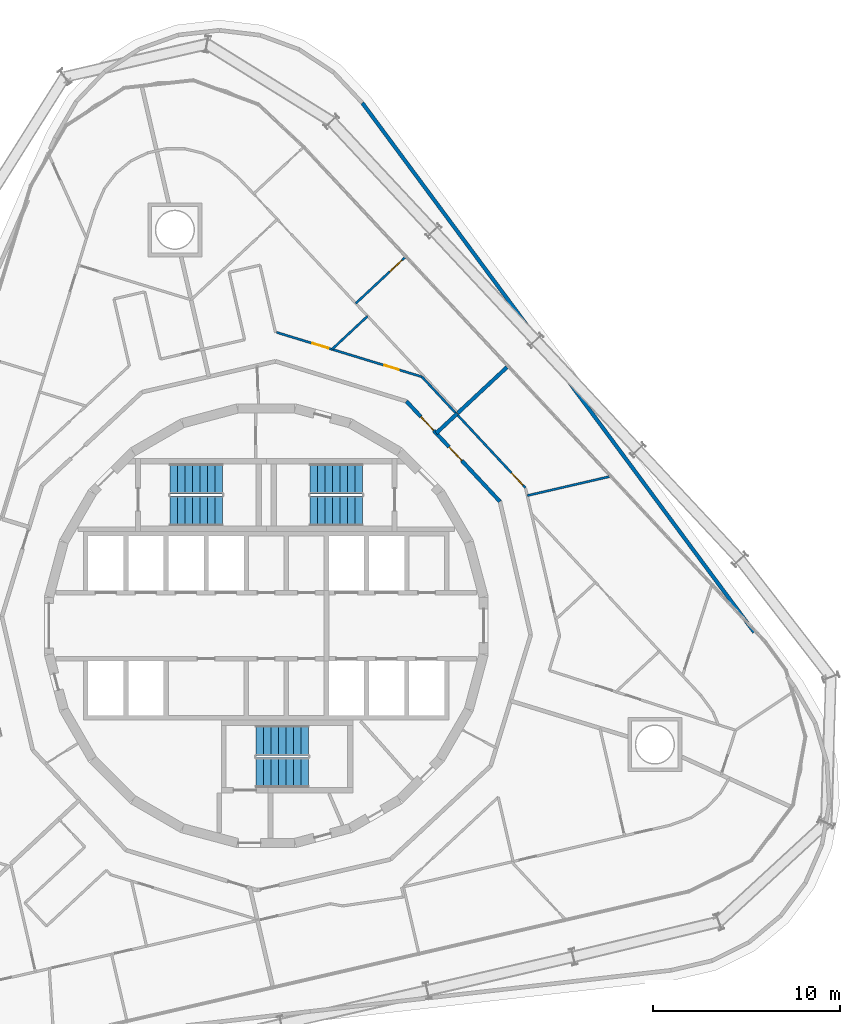
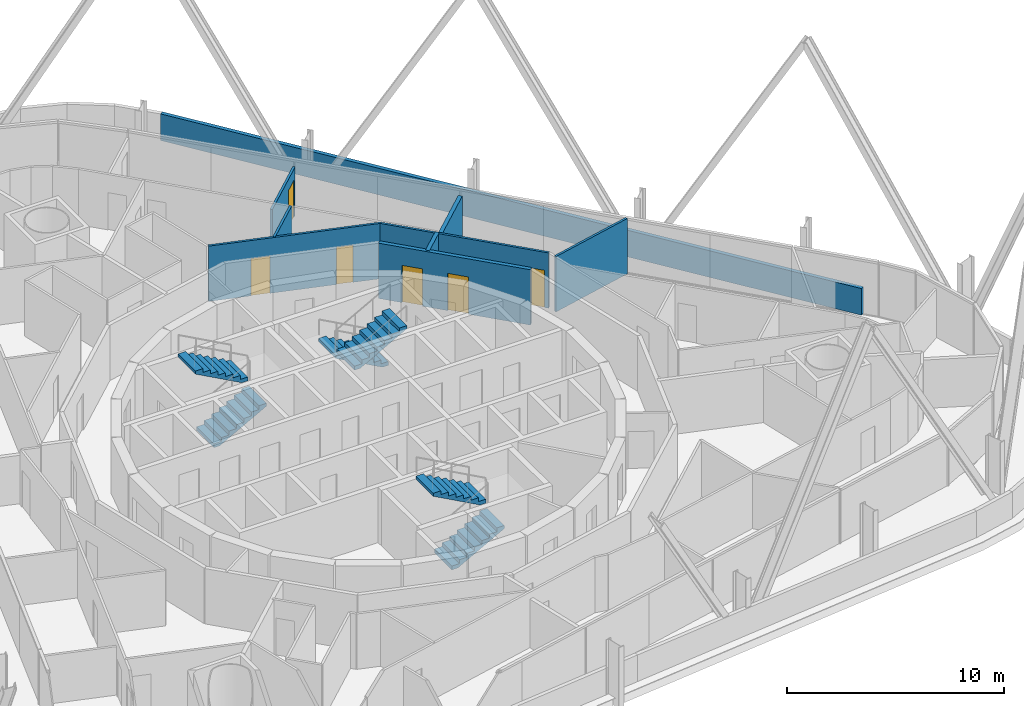
# One storey, part 17 of 18: 9 walls, 6 doors, 6 stair flights, 6 openings, 3 elements without a shape of their own.
"""IFC4 building model written with IfcOpenShell, lengths in metres."""

from ifc_helpers import new_model, si_unit, direction, frame, frame_2d, origin, place, context, subcontext, project, spatial, polyline, rectangle, outline, extrude, material, layer, layer_set, type_object, element, fill, aggregate, save


model = new_model("IFC4")

# Units and contexts
model_context = context("Model", 3, precision=1e-05, world=origin(), true_north=direction((0.0, 1.0)))
body_context = subcontext(model_context, "Body", "Model", "MODEL_VIEW")
ifc_project = project(units=[si_unit("LENGTHUNIT", "METRE"), si_unit("AREAUNIT", "SQUARE_METRE"), si_unit("VOLUMEUNIT", "CUBIC_METRE"), si_unit("PLANEANGLEUNIT", "RADIAN"), si_unit("MASSUNIT", "GRAM", prefix="KILO")], contexts=[model_context])

# Site, building, storey
site_placement = place(None, origin())
site = spatial("IfcSite", under=ifc_project, at=site_placement, CompositionType="ELEMENT")
building_placement = place(site_placement, origin())
building = spatial("IfcBuilding", under=site, at=building_placement, Name="Spindle Arch Residences", CompositionType="ELEMENT")
storey_placement = place(building_placement, frame((0.0, 0.0, 113.39990234375)))
storey = spatial("IfcBuildingStorey", under=building, at=storey_placement, Name="L27", CompositionType="ELEMENT", Elevation=113.39990234375)

# Wall, openings, doors
ifc_material_1 = material(Name="Calcium silicate block, plastered")
ifc_layer_1 = layer(ifc_material_1, 0.199951171875)
ifc_layer_set_1 = layer_set([ifc_layer_1], Name="Corridor wall 200")
wall_type_1 = type_object("IfcWallType", Name="Corridor wall 200", PredefinedType="STANDARD", material=ifc_layer_set_1)
wall_1_placement = place(storey_placement, frame((12.523193359375, 6.65869140625, 0.0), z_axis=(0.0, 0.0, 1.0), x_axis=(-0.682001841105, 0.731350455479, 0.0)))
wall_1 = element("IfcWall", 1, at=wall_1_placement, inside=storey, type_object=wall_type_1, Name="Corridor wall R3A0-W006", PredefinedType="STANDARD", context=body_context, shape_type="SweptSolid", body=[
    extrude(rectangle(XDim=7.341796875, YDim=0.199951171875, at=frame_2d((3.6708984375, 0.0))), origin(), (0.0, 0.0, 1.0), 3.1201171875),
])
opening_1_placement = place(wall_1_placement, frame((3.0, 0.0, 0.0)))
opening_1 = element("IfcOpeningElement", 2, at=opening_1_placement, cuts=wall_1, Name="Opening R3A0-FD01", PredefinedType="OPENING", context=body_context, shape_type="SweptSolid", body=[
    extrude(rectangle(XDim=1.0, YDim=2.10009765625, at=frame_2d((0.5, 1.050048828125))), frame((0.0, 0.10986328125, 0.0), z_axis=(0.0, -1.0, 0.0), x_axis=(1.0, 0.0, 0.0)), (0.0, 0.0, 1.0), 0.219970703125),
])
opening_2_placement = place(wall_1_placement, frame((5.209228515625, 0.0, 0.0)))
opening_2 = element("IfcOpeningElement", 3, at=opening_2_placement, cuts=wall_1, Name="Opening R3A0-FD02", PredefinedType="OPENING", context=body_context, shape_type="SweptSolid", body=[
    extrude(rectangle(XDim=1.0, YDim=2.10009765625, at=frame_2d((0.5, 1.050048828125))), frame((0.0, 0.10986328125, 0.0), z_axis=(0.0, -1.0, 0.0), x_axis=(1.0, 0.0, 0.0)), (0.0, 0.0, 1.0), 0.219970703125),
])
ifc_material_2 = material(Name="Timber, fire-resisting door set", Category="wood")
door_type_1 = type_object("IfcDoorType", Name="Flat entrance door 1000x2100", OperationType="NOTDEFINED", PredefinedType="DOOR", material=ifc_material_2)
door_1_placement = place(opening_1_placement, origin())
door_1 = element("IfcDoor", 4, at=door_1_placement, inside=storey, type_object=door_type_1, Name="Flat entrance door R3A0-FD01", OperationType="SINGLE_SWING_LEFT", OverallHeight=2.10009765625, OverallWidth=1.0, PredefinedType="DOOR", context=body_context, shape_type="SweptSolid", body=[
    extrude(rectangle(XDim=1.0, YDim=2.10009765625, at=frame_2d((0.5, 1.050048828125))), frame((0.0, 0.02490234375, 0.0), z_axis=(0.0, -1.0, 0.0), x_axis=(1.0, 0.0, 0.0)), (0.0, 0.0, 1.0), 0.050048828125),
])
fill(opening_1, door_1)
door_2_placement = place(opening_2_placement, origin())
door_2 = element("IfcDoor", 5, at=door_2_placement, inside=storey, type_object=door_type_1, Name="Flat entrance door R3A0-FD02", OperationType="SINGLE_SWING_RIGHT", OverallHeight=2.10009765625, OverallWidth=1.0, PredefinedType="DOOR", context=body_context, shape_type="SweptSolid", body=[
    extrude(rectangle(XDim=1.0, YDim=2.10009765625, at=frame_2d((0.5, 1.050048828125))), frame((0.0, 0.02490234375, 0.0), z_axis=(0.0, -1.0, 0.0), x_axis=(1.0, 0.0, 0.0)), (0.0, 0.0, 1.0), 0.050048828125),
])
fill(opening_2, door_2)

# Wall, opening, door
ifc_material_3 = material(Name="Plasterboard on steel studs", Category="steel")
ifc_layer_2 = layer(ifc_material_3, 0.1201171875)
ifc_layer_set_2 = layer_set([ifc_layer_2], Name="Flat partition 120")
wall_type_2 = type_object("IfcWallType", Name="Flat partition 120", PredefinedType="PARTITIONING", material=ifc_layer_set_2)
wall_2_placement = place(storey_placement, frame((13.894287109375, 7.3876953125, 0.0), z_axis=(0.0, 0.0, 1.0), x_axis=(-0.681994622729, 0.731357186721, 0.0)))
wall_2 = element("IfcWall", 6, at=wall_2_placement, inside=storey, type_object=wall_type_2, Name="Flat partition R3A0-W031", PredefinedType="PARTITIONING", context=body_context, shape_type="SweptSolid", body=[
    extrude(rectangle(XDim=8.145751953125, YDim=0.1201171875, at=frame_2d((4.07275390625, 0.0))), origin(), (0.0, 0.0, 1.0), 3.1201171875),
])
opening_3_placement = place(wall_2_placement, frame((0.199951171875, 0.0, 0.0)))
opening_3 = element("IfcOpeningElement", 7, at=opening_3_placement, cuts=wall_2, Name="Opening R3A0-ID01", PredefinedType="OPENING", context=body_context, shape_type="SweptSolid", body=[
    extrude(rectangle(XDim=0.89990234375, YDim=2.10009765625, at=frame_2d((0.449951171875, 1.050048828125))), frame((0.0, 0.070068359375, 0.0), z_axis=(0.0, -1.0, 0.0), x_axis=(1.0, 0.0, 0.0)), (0.0, 0.0, 1.0), 0.14013671875),
])
ifc_material_4 = material(Name="Timber door set", Category="wood")
door_type_2 = type_object("IfcDoorType", Name="Room door 900x2100", OperationType="NOTDEFINED", PredefinedType="DOOR", material=ifc_material_4)
door_3_placement = place(opening_3_placement, origin())
door_3 = element("IfcDoor", 8, at=door_3_placement, inside=storey, type_object=door_type_2, Name="Room door R3A0-ID01", OperationType="SINGLE_SWING_LEFT", OverallHeight=2.10009765625, OverallWidth=0.89990234375, PredefinedType="DOOR", context=body_context, shape_type="SweptSolid", body=[
    extrude(rectangle(XDim=0.89990234375, YDim=2.10009765625, at=frame_2d((0.449951171875, 1.050048828125))), frame((0.0, 0.02490234375, 0.0), z_axis=(0.0, -1.0, 0.0), x_axis=(1.0, 0.0, 0.0)), (0.0, 0.0, 1.0), 0.050048828125),
])
fill(opening_3, door_3)

# Wall
wall_3_placement = place(storey_placement, frame((18.379150390625, 7.989990234375, 0.0), z_axis=(0.0, 0.0, 1.0), x_axis=(-0.974372926515, -0.224938658471, 0.0)))
element("IfcWall", 9, at=wall_3_placement, inside=storey, type_object=wall_type_2, Name="Flat partition R3A0-W036", PredefinedType="PARTITIONING", context=body_context, shape_type="SweptSolid", body=[
    extrude(rectangle(XDim=4.50537109375, YDim=0.1201171875, at=frame_2d((2.252685546875, 0.0))), origin(), (0.0, 0.0, 1.0), 3.1201171875),
])

# Wall, openings, doors
wall_4_placement = place(storey_placement, frame((8.3388671875, 13.34521484375, 0.0), z_axis=(0.0, 0.0, 1.0), x_axis=(-0.956310145342, 0.292354076276, 0.0)))
wall_4 = element("IfcWall", 10, at=wall_4_placement, inside=storey, type_object=wall_type_2, Name="Flat partition R3A0-W044", PredefinedType="PARTITIONING", context=body_context, shape_type="SweptSolid", body=[
    extrude(rectangle(XDim=8.1455078125, YDim=0.1201171875, at=frame_2d((4.07275390625, 0.0))), origin(), (0.0, 0.0, 1.0), 3.1201171875),
])
opening_4_placement = place(wall_4_placement, frame((1.300048828125, 0.0, 0.0)))
opening_4 = element("IfcOpeningElement", 11, at=opening_4_placement, cuts=wall_4, Name="Opening R3A0-BD03", PredefinedType="OPENING", context=body_context, shape_type="SweptSolid", body=[
    extrude(rectangle(XDim=0.800048828125, YDim=2.10009765625, at=frame_2d((0.39990234375, 1.050048828125))), frame((0.0, 0.070068359375, 0.0), z_axis=(0.0, -1.0, 0.0), x_axis=(1.0, 0.0, 0.0)), (0.0, 0.0, 1.0), 0.14013671875),
])
opening_5_placement = place(wall_4_placement, frame((5.236572265625, 0.0, 0.0)))
opening_5 = element("IfcOpeningElement", 12, at=opening_5_placement, cuts=wall_4, Name="Opening R3A0-ID06", PredefinedType="OPENING", context=body_context, shape_type="SweptSolid", body=[
    extrude(rectangle(XDim=0.89990234375, YDim=2.10009765625, at=frame_2d((0.449951171875, 1.050048828125))), frame((0.0, 0.070068359375, 0.0), z_axis=(0.0, -1.0, 0.0), x_axis=(1.0, 0.0, 0.0)), (0.0, 0.0, 1.0), 0.14013671875),
])
ifc_material_5 = material(Name="Timber door set", Category="wood")
door_type_3 = type_object("IfcDoorType", Name="Bathroom door 800x2100", OperationType="NOTDEFINED", PredefinedType="DOOR", material=ifc_material_5)
door_4_placement = place(opening_4_placement, origin())
door_4 = element("IfcDoor", 13, at=door_4_placement, inside=storey, type_object=door_type_3, Name="Bathroom door R3A0-BD03", OperationType="SINGLE_SWING_RIGHT", OverallHeight=2.10009765625, OverallWidth=0.800048828125, PredefinedType="DOOR", context=body_context, shape_type="SweptSolid", body=[
    extrude(rectangle(XDim=0.800048828125, YDim=2.10009765625, at=frame_2d((0.39990234375, 1.050048828125))), frame((0.0, 0.02490234375, 0.0), z_axis=(0.0, -1.0, 0.0), x_axis=(1.0, 0.0, 0.0)), (0.0, 0.0, 1.0), 0.050048828125),
])
fill(opening_4, door_4)
door_5_placement = place(opening_5_placement, origin())
door_5 = element("IfcDoor", 14, at=door_5_placement, inside=storey, type_object=door_type_2, Name="Room door R3A0-ID06", OperationType="SINGLE_SWING_RIGHT", OverallHeight=2.10009765625, OverallWidth=0.89990234375, PredefinedType="DOOR", context=body_context, shape_type="SweptSolid", body=[
    extrude(rectangle(XDim=0.89990234375, YDim=2.10009765625, at=frame_2d((0.449951171875, 1.050048828125))), frame((0.0, 0.02490234375, 0.0), z_axis=(0.0, -1.0, 0.0), x_axis=(1.0, 0.0, 0.0)), (0.0, 0.0, 1.0), 0.050048828125),
])
fill(opening_5, door_5)

# Wall
wall_5_placement = place(storey_placement, frame((5.4306640625, 16.596923828125, 0.0), z_axis=(0.0, 0.0, 1.0), x_axis=(-0.731378807316, -0.681971436505, 0.0)))
element("IfcWall", 15, at=wall_5_placement, inside=storey, type_object=wall_type_2, Name="Flat partition R3A0-W051", PredefinedType="PARTITIONING", context=body_context, shape_type="SweptSolid", body=[
    extrude(rectangle(XDim=2.609130859375, YDim=0.1201171875, at=frame_2d((1.3046875, 0.0))), origin(), (0.0, 0.0, 1.0), 3.1201171875),
])

# Wall, opening, door
ifc_material_6 = material(Name="Plasterboard on steel studs", Category="steel")
ifc_layer_3 = layer(ifc_material_6, 0.1201171875)
ifc_layer_set_3 = layer_set([ifc_layer_3], Name="Flat partition 120 under beam 2730")
wall_type_3 = type_object("IfcWallType", Name="Flat partition 120 under beam 2730", PredefinedType="PARTITIONING", material=ifc_layer_set_3)
wall_6_placement = place(storey_placement, frame((7.427490234375, 19.734375, 0.0), z_axis=(0.0, 0.0, 1.0), x_axis=(-0.73139345201, -0.681955730497, 0.0)))
wall_6 = element("IfcWall", 16, at=wall_6_placement, inside=storey, type_object=wall_type_3, Name="Flat partition R3A0-W050", PredefinedType="PARTITIONING", context=body_context, shape_type="SweptSolid", body=[
    extrude(rectangle(XDim=3.60009765625, YDim=0.1201171875, at=frame_2d((1.800048828125, 0.0))), origin(), (0.0, 0.0, 1.0), 2.72998046875),
])
opening_6_placement = place(wall_6_placement, frame((0.199951171875, 0.0, 0.0)))
opening_6 = element("IfcOpeningElement", 17, at=opening_6_placement, cuts=wall_6, Name="Opening R3A0-ID09", PredefinedType="OPENING", context=body_context, shape_type="SweptSolid", body=[
    extrude(rectangle(XDim=0.89990234375, YDim=2.10009765625, at=frame_2d((0.449951171875, 1.050048828125))), frame((0.0, 0.070068359375, 0.0), z_axis=(0.0, -1.0, 0.0), x_axis=(1.0, 0.0, 0.0)), (0.0, 0.0, 1.0), 0.14013671875),
])
door_6_placement = place(opening_6_placement, origin())
door_6 = element("IfcDoor", 18, at=door_6_placement, inside=storey, type_object=door_type_2, Name="Room door R3A0-ID09", OperationType="SINGLE_SWING_LEFT", OverallHeight=2.10009765625, OverallWidth=0.89990234375, PredefinedType="DOOR", context=body_context, shape_type="SweptSolid", body=[
    extrude(rectangle(XDim=0.89990234375, YDim=2.10009765625, at=frame_2d((0.449951171875, 1.050048828125))), frame((0.0, 0.02490234375, 0.0), z_axis=(0.0, -1.0, 0.0), x_axis=(1.0, 0.0, 0.0)), (0.0, 0.0, 1.0), 0.050048828125),
])
fill(opening_6, door_6)

# Walls
ifc_material_7 = material(Name="Calcium silicate block, plastered")
ifc_layer_4 = layer(ifc_material_7, 0.199951171875)
ifc_layer_set_4 = layer_set([ifc_layer_4], Name="Flat party wall 200")
wall_type_4 = type_object("IfcWallType", Name="Flat party wall 200", PredefinedType="STANDARD", material=ifc_layer_set_4)
wall_7_placement = place(storey_placement, frame((10.233154296875, 11.372314453125, 0.0), z_axis=(0.0, 0.0, 1.0), x_axis=(-0.731329353292, -0.682024469513, 0.0)))
element("IfcWall", 19, at=wall_7_placement, inside=storey, type_object=wall_type_4, Name="Flat party wall R3A0-W016", PredefinedType="STANDARD", context=body_context, shape_type="SweptSolid", body=[
    extrude(rectangle(XDim=1.5400390625, YDim=0.199951171875, at=frame_2d((0.77001953125, 0.0))), origin(), (0.0, 0.0, 1.0), 3.1201171875),
])
ifc_material_8 = material(Name="Calcium silicate block, plastered")
ifc_layer_5 = layer(ifc_material_8, 0.199951171875)
ifc_layer_set_5 = layer_set([ifc_layer_5], Name="Flat party wall 200 under beam 2730")
wall_type_5 = type_object("IfcWallType", Name="Flat party wall 200 under beam 2730", PredefinedType="STANDARD", material=ifc_layer_set_5)
wall_8_placement = place(storey_placement, frame((12.9033203125, 13.8623046875, 0.0), z_axis=(0.0, 0.0, 1.0), x_axis=(-0.731328084739, -0.682025829769, 0.0)))
element("IfcWall", 20, at=wall_8_placement, inside=storey, type_object=wall_type_5, Name="Flat party wall R3A0-W019", PredefinedType="STANDARD", context=body_context, shape_type="SweptSolid", body=[
    extrude(rectangle(XDim=3.60009765625, YDim=0.199951171875, at=frame_2d((1.800048828125, 0.0))), origin(), (0.0, 0.0, 1.0), 2.72998046875),
])
ifc_material_9 = material(Name="Concrete C40/50", Category="concrete")
ifc_layer_6 = layer(ifc_material_9, 0.199951171875)
ifc_layer_set_6 = layer_set([ifc_layer_6], Name="Roof parapet 1500")
wall_type_6 = type_object("IfcWallType", Name="Roof parapet 1500", PredefinedType="PARAPET", material=ifc_layer_set_6)
wall_9_placement = place(storey_placement, frame((5.1455078125, 28.02734375, 0.030029296875), z_axis=(0.0, 0.0, 1.0), x_axis=(0.595048436217, -0.803689839774, 0.0)))
element("IfcWall", 21, at=wall_9_placement, inside=storey, type_object=wall_type_6, Name="Roof parapet L26 3.11", PredefinedType="PARAPET", context=body_context, shape_type="SweptSolid", body=[
    extrude(rectangle(XDim=35.3056640625, YDim=0.199951171875, at=frame_2d((17.65283203125, 0.0))), origin(), (0.0, 0.0, 1.0), 1.5),
])

# Stair, stair flights
ifc_material_10 = material(Name="Concrete C50/60", Category="concrete")
stair_type = type_object("IfcStairType", Name="Exit stair 16 risers", PredefinedType="HALF_TURN_STAIR", material=ifc_material_10)
stair_1_placement = place(storey_placement, origin())
stair_1 = element("IfcStair", 22, at=stair_1_placement, inside=storey, type_object=stair_type, Name="L27 Exit stair ST1", PredefinedType="HALF_TURN_STAIR")
ifc_material_11 = material(Name="Concrete C50/60", Category="concrete")
stair_flight_type = type_object("IfcStairFlightType", Name="Exit stair flight", PredefinedType="STRAIGHT", material=ifc_material_11)
stair_flight_1_placement = place(storey_placement, frame((5.14990234375, 7.8701171875, 0.0), z_axis=(0.0, 0.0, 1.0), x_axis=(-1.0, 0.0, 0.0)))
stair_flight_1 = element("IfcStairFlight", 23, at=stair_flight_1_placement, type_object=stair_flight_type, Name="ST1 flight 1", NumberOfRisers=8, NumberOfTreads=7, PredefinedType="STRAIGHT", RiserHeight=0.21875, TreadLength=0.4, context=body_context, shape_type="SweptSolid", body=[
    extrude(outline(polyline([(0.0, 0.0), (0.0, 0.21875), (0.39990234375, 0.21875), (0.39990234375, 0.4375), (0.800048828125, 0.4375), (0.800048828125, 0.65625), (1.199951171875, 0.65625), (1.199951171875, 0.875), (1.60009765625, 0.875), (1.60009765625, 1.09375), (2.0, 1.09375), (2.0, 1.3125), (2.39990234375, 1.3125), (2.39990234375, 1.53125), (2.800048828125, 1.53125), (2.800048828125, 1.75), (2.800048828125, 1.3603515625), (0.3125, 0.0), (0.0, 0.0)])), frame((0.0, 0.800048828125, 0.0), z_axis=(0.0, -1.0, 0.0), x_axis=(1.0, 0.0, 0.0)), (0.0, 0.0, 1.0), 1.60009765625),
])
stair_flight_2_placement = place(storey_placement, frame((2.35009765625, 6.14990234375, 1.75), z_axis=(0.0, 0.0, 1.0), x_axis=(1.0, 0.0, 0.0)))
stair_flight_2 = element("IfcStairFlight", 24, at=stair_flight_2_placement, type_object=stair_flight_type, Name="ST1 flight 2", NumberOfRisers=8, NumberOfTreads=7, PredefinedType="STRAIGHT", RiserHeight=0.21875, TreadLength=0.4, context=body_context, shape_type="SweptSolid", body=[
    extrude(outline(polyline([(0.0, 0.0), (0.0, 0.21875), (0.39990234375, 0.21875), (0.39990234375, 0.4375), (0.800048828125, 0.4375), (0.800048828125, 0.65625), (1.199951171875, 0.65625), (1.199951171875, 0.875), (1.60009765625, 0.875), (1.60009765625, 1.09375), (2.0, 1.09375), (2.0, 1.3125), (2.39990234375, 1.3125), (2.39990234375, 1.53125), (2.800048828125, 1.53125), (2.800048828125, 1.75), (2.800048828125, 1.3603515625), (0.3125, 0.0), (0.0, 0.0)])), frame((0.0, 0.800048828125, 0.0), z_axis=(0.0, -1.0, 0.0), x_axis=(1.0, 0.0, 0.0)), (0.0, 0.0, 1.0), 1.60009765625),
])
aggregate(stair_1, [stair_flight_1, stair_flight_2])

stair_2_placement = place(storey_placement, origin())
stair_2 = element("IfcStair", 25, at=stair_2_placement, inside=storey, type_object=stair_type, Name="L27 Exit stair ST2", PredefinedType="HALF_TURN_STAIR")
stair_flight_3_placement = place(storey_placement, frame((-5.14990234375, 6.14990234375, 0.0), z_axis=(0.0, 0.0, 1.0), x_axis=(1.0, 0.0, 0.0)))
stair_flight_3 = element("IfcStairFlight", 26, at=stair_flight_3_placement, type_object=stair_flight_type, Name="ST2 flight 1", NumberOfRisers=8, NumberOfTreads=7, PredefinedType="STRAIGHT", RiserHeight=0.21875, TreadLength=0.4, context=body_context, shape_type="SweptSolid", body=[
    extrude(outline(polyline([(0.0, 0.0), (0.0, 0.21875), (0.39990234375, 0.21875), (0.39990234375, 0.4375), (0.800048828125, 0.4375), (0.800048828125, 0.65625), (1.199951171875, 0.65625), (1.199951171875, 0.875), (1.60009765625, 0.875), (1.60009765625, 1.09375), (2.0, 1.09375), (2.0, 1.3125), (2.39990234375, 1.3125), (2.39990234375, 1.53125), (2.800048828125, 1.53125), (2.800048828125, 1.75), (2.800048828125, 1.3603515625), (0.3125, 0.0), (0.0, 0.0)])), frame((0.0, 0.800048828125, 0.0), z_axis=(0.0, -1.0, 0.0), x_axis=(1.0, 0.0, 0.0)), (0.0, 0.0, 1.0), 1.60009765625),
])
stair_flight_4_placement = place(storey_placement, frame((-2.35009765625, 7.8701171875, 1.75), z_axis=(0.0, 0.0, 1.0), x_axis=(-1.0, 0.0, 0.0)))
stair_flight_4 = element("IfcStairFlight", 27, at=stair_flight_4_placement, type_object=stair_flight_type, Name="ST2 flight 2", NumberOfRisers=8, NumberOfTreads=7, PredefinedType="STRAIGHT", RiserHeight=0.21875, TreadLength=0.4, context=body_context, shape_type="SweptSolid", body=[
    extrude(outline(polyline([(0.0, 0.0), (0.0, 0.21875), (0.39990234375, 0.21875), (0.39990234375, 0.4375), (0.800048828125, 0.4375), (0.800048828125, 0.65625), (1.199951171875, 0.65625), (1.199951171875, 0.875), (1.60009765625, 0.875), (1.60009765625, 1.09375), (2.0, 1.09375), (2.0, 1.3125), (2.39990234375, 1.3125), (2.39990234375, 1.53125), (2.800048828125, 1.53125), (2.800048828125, 1.75), (2.800048828125, 1.3603515625), (0.3125, 0.0), (0.0, 0.0)])), frame((0.0, 0.800048828125, 0.0), z_axis=(0.0, -1.0, 0.0), x_axis=(1.0, 0.0, 0.0)), (0.0, 0.0, 1.0), 1.60009765625),
])
aggregate(stair_2, [stair_flight_3, stair_flight_4])

stair_3_placement = place(storey_placement, origin())
stair_3 = element("IfcStair", 28, at=stair_3_placement, inside=storey, type_object=stair_type, Name="L27 Exit stair ST3", PredefinedType="HALF_TURN_STAIR")
stair_flight_5_placement = place(storey_placement, frame((-0.550048828125, -7.8701171875, 0.0), z_axis=(0.0, 0.0, 1.0), x_axis=(1.0, 0.0, 0.0)))
stair_flight_5 = element("IfcStairFlight", 29, at=stair_flight_5_placement, type_object=stair_flight_type, Name="ST3 flight 1", NumberOfRisers=8, NumberOfTreads=7, PredefinedType="STRAIGHT", RiserHeight=0.21875, TreadLength=0.4, context=body_context, shape_type="SweptSolid", body=[
    extrude(outline(polyline([(0.0, 0.0), (0.0, 0.21875), (0.39990234375, 0.21875), (0.39990234375, 0.4375), (0.800048828125, 0.4375), (0.800048828125, 0.65625), (1.199951171875, 0.65625), (1.199951171875, 0.875), (1.60009765625, 0.875), (1.60009765625, 1.09375), (2.0, 1.09375), (2.0, 1.3125), (2.39990234375, 1.3125), (2.39990234375, 1.53125), (2.800048828125, 1.53125), (2.800048828125, 1.75), (2.800048828125, 1.3603515625), (0.3125, 0.0), (0.0, 0.0)])), frame((0.0, 0.800048828125, 0.0), z_axis=(0.0, -1.0, 0.0), x_axis=(1.0, 0.0, 0.0)), (0.0, 0.0, 1.0), 1.60009765625),
])
stair_flight_6_placement = place(storey_placement, frame((2.25, -6.14990234375, 1.75), z_axis=(0.0, 0.0, 1.0), x_axis=(-1.0, 0.0, 0.0)))
stair_flight_6 = element("IfcStairFlight", 30, at=stair_flight_6_placement, type_object=stair_flight_type, Name="ST3 flight 2", NumberOfRisers=8, NumberOfTreads=7, PredefinedType="STRAIGHT", RiserHeight=0.21875, TreadLength=0.4, context=body_context, shape_type="SweptSolid", body=[
    extrude(outline(polyline([(0.0, 0.0), (0.0, 0.21875), (0.39990234375, 0.21875), (0.39990234375, 0.4375), (0.800048828125, 0.4375), (0.800048828125, 0.65625), (1.199951171875, 0.65625), (1.199951171875, 0.875), (1.60009765625, 0.875), (1.60009765625, 1.09375), (2.0, 1.09375), (2.0, 1.3125), (2.39990234375, 1.3125), (2.39990234375, 1.53125), (2.800048828125, 1.53125), (2.800048828125, 1.75), (2.800048828125, 1.3603515625), (0.3125, 0.0), (0.0, 0.0)])), frame((0.0, 0.800048828125, 0.0), z_axis=(0.0, -1.0, 0.0), x_axis=(1.0, 0.0, 0.0)), (0.0, 0.0, 1.0), 1.60009765625),
])
aggregate(stair_3, [stair_flight_5, stair_flight_6])

save(model, "model.ifc")
